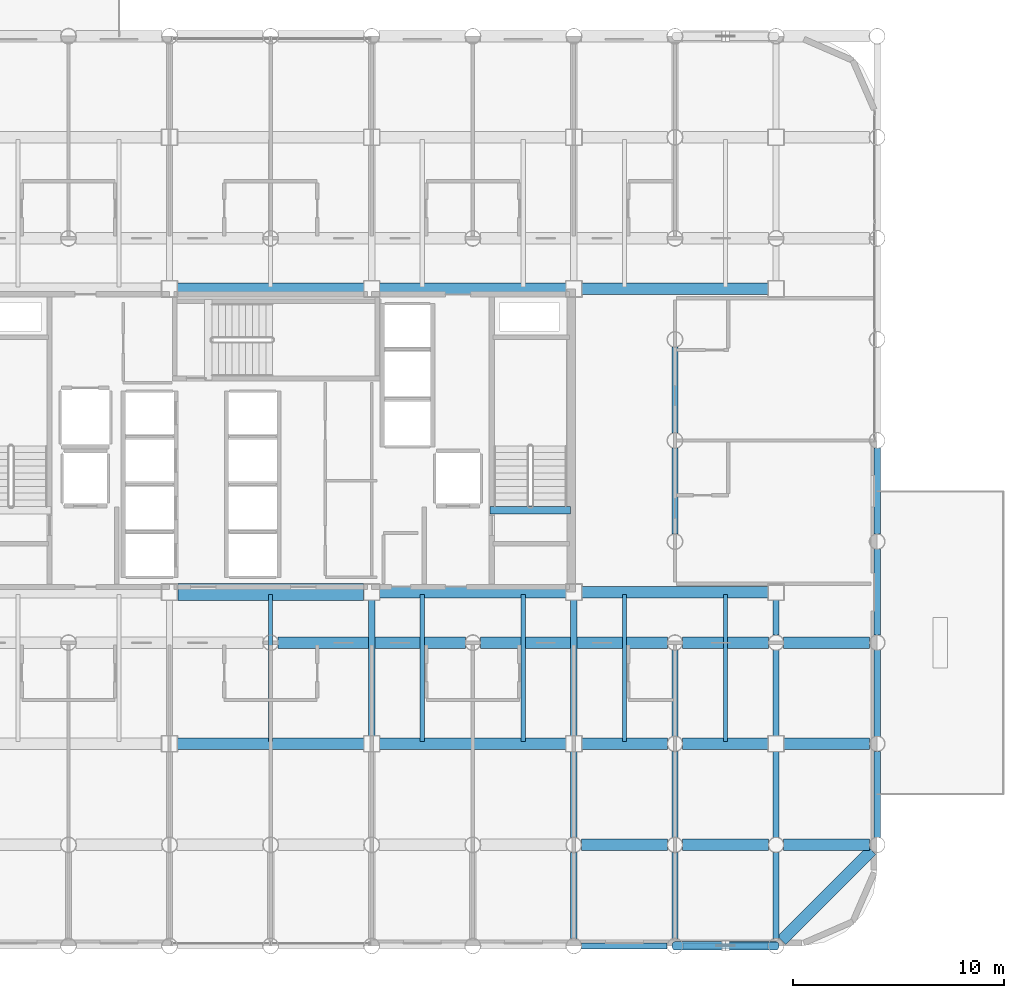
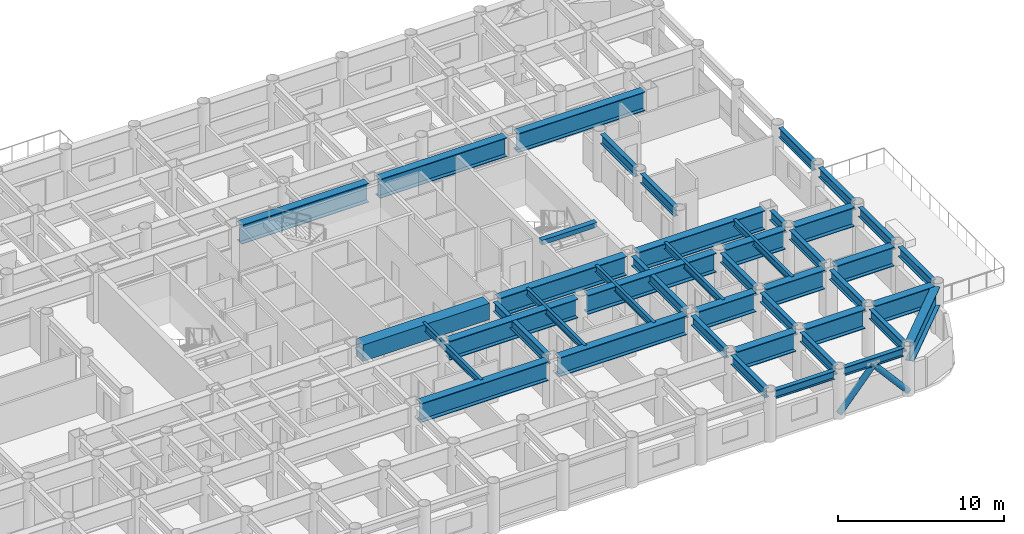
# One storey, part 7 of 24: 44 beams, 2 members.
"""IFC4 building model written with IfcOpenShell, lengths in metres."""

from ifc_helpers import new_model, si_unit, direction, frame, origin, origin_2d, place, context, subcontext, project, spatial, rectangle, hollow_circle, i_section, extrude, material, material_profile, profile_set, type_object, element, save


model = new_model("IFC4")

# Units and contexts
model_context = context("Model", 3, precision=1e-05, world=origin(), true_north=direction((0.0, 1.0)))
body_context = subcontext(model_context, "Body", "Model", "MODEL_VIEW")
ifc_project = project(units=[si_unit("LENGTHUNIT", "METRE"), si_unit("AREAUNIT", "SQUARE_METRE"), si_unit("VOLUMEUNIT", "CUBIC_METRE"), si_unit("PLANEANGLEUNIT", "RADIAN"), si_unit("MASSUNIT", "GRAM", prefix="KILO")], contexts=[model_context])

# Site, building, storey
site_placement = place(None, origin())
site = spatial("IfcSite", under=ifc_project, at=site_placement, CompositionType="ELEMENT")
building_placement = place(site_placement, origin())
building = spatial("IfcBuilding", under=site, at=building_placement, Name="Kallvorn Hotel Tower", CompositionType="ELEMENT")
storey_placement = place(building_placement, frame((0.0, 0.0, 30.0)))
storey = spatial("IfcBuildingStorey", under=building, at=storey_placement, Name="L05", CompositionType="ELEMENT", Elevation=30.0)

# Beams
ifc_material_1 = material(Name="Structural steel S355JR", Category="steel")
ifc_material_profile_1 = material_profile(ifc_material_1, i_section(OverallWidth=0.300048828125, OverallDepth=0.60009765625, WebThickness=0.015380859375, FlangeThickness=0.030029296875, at=origin_2d()), Name="HE 600 B")
ifc_profile_set_1 = profile_set([ifc_material_profile_1], Name="Structural steel S355JR")
beam_type_1 = type_object("IfcBeamType", Name="BM_HE600B", PredefinedType="SPANDREL", material=ifc_profile_set_1)
beam_1_placement = place(storey_placement, frame((14.77099609375, -24.0, 3.219970703125), z_axis=(1.0, 0.0, 0.0), x_axis=(0.0, 1.0, 0.0)))
element("IfcBeam", 1, at=beam_1_placement, inside=storey, type_object=beam_type_1, Name="L06 Perimeter Spandrel 160", PredefinedType="SPANDREL", context=body_context, shape_type="SweptSolid", body=[
    extrude(i_section(OverallWidth=0.300048828125, OverallDepth=0.60009765625, WebThickness=0.015380859375, FlangeThickness=0.030029296875, at=origin_2d()), origin(), (0.0, 0.0, 1.0), 4.05810546875),
])
beam_2_placement = place(storey_placement, frame((19.571044921875, -24.0, 3.219970703125), z_axis=(1.0, 0.0, 0.0), x_axis=(0.0, 1.0, 0.0)))
element("IfcBeam", 2, at=beam_2_placement, inside=storey, type_object=beam_type_1, Name="L06 Perimeter Spandrel 161", PredefinedType="SPANDREL", context=body_context, shape_type="SweptSolid", body=[
    extrude(i_section(OverallWidth=0.300048828125, OverallDepth=0.60009765625, WebThickness=0.015380859375, FlangeThickness=0.030029296875, at=origin_2d()), origin(), (0.0, 0.0, 1.0), 4.057861328125),
])
ifc_material_2 = material(Name="Structural steel S355JR", Category="steel")
ifc_material_profile_2 = material_profile(ifc_material_2, i_section(OverallWidth=0.300048828125, OverallDepth=0.699951171875, WebThickness=0.01708984375, FlangeThickness=0.031982421875, at=origin_2d()), Name="HE 700 B")
ifc_profile_set_2 = profile_set([ifc_material_profile_2], Name="Structural steel S355JR")
beam_type_2 = type_object("IfcBeamType", Name="BM_HE700B", PredefinedType="BEAM", material=ifc_profile_set_2)
beam_3_placement = place(storey_placement, frame((4.800048828125, -14.02490234375, 3.169921875), z_axis=(0.0, 1.0, 0.0), x_axis=(-1.0, 0.0, 0.0)))
element("IfcBeam", 3, at=beam_3_placement, inside=storey, type_object=beam_type_2, Name="L06 Primary Y-Girder 116", PredefinedType="BEAM", context=body_context, shape_type="SweptSolid", body=[
    extrude(i_section(OverallWidth=0.300048828125, OverallDepth=0.699951171875, WebThickness=0.01708984375, FlangeThickness=0.031982421875, at=origin_2d()), origin(), (0.0, 0.0, 1.0), 6.449951171875),
])
beam_4_placement = place(storey_placement, frame((14.39990234375, -23.64404296875, 3.169921875), z_axis=(0.0, 1.0, 0.0), x_axis=(-1.0, 0.0, 0.0)))
element("IfcBeam", 4, at=beam_4_placement, inside=storey, type_object=beam_type_2, Name="L06 Primary Y-Girder 122", PredefinedType="BEAM", context=body_context, shape_type="SweptSolid", body=[
    extrude(i_section(OverallWidth=0.300048828125, OverallDepth=0.699951171875, WebThickness=0.01708984375, FlangeThickness=0.031982421875, at=origin_2d()), origin(), (0.0, 0.0, 1.0), 4.088134765625),
])
beam_5_placement = place(storey_placement, frame((14.39990234375, -18.843994140625, 3.169921875), z_axis=(0.0, 1.0, 0.0), x_axis=(-1.0, 0.0, 0.0)))
element("IfcBeam", 5, at=beam_5_placement, inside=storey, type_object=beam_type_2, Name="L06 Primary Y-Girder 123", PredefinedType="BEAM", context=body_context, shape_type="SweptSolid", body=[
    extrude(i_section(OverallWidth=0.300048828125, OverallDepth=0.699951171875, WebThickness=0.01708984375, FlangeThickness=0.031982421875, at=origin_2d()), origin(), (0.0, 0.0, 1.0), 4.069091796875),
])
beam_6_placement = place(storey_placement, frame((14.39990234375, -14.02490234375, 3.169921875), z_axis=(0.0, 1.0, 0.0), x_axis=(-1.0, 0.0, 0.0)))
element("IfcBeam", 6, at=beam_6_placement, inside=storey, type_object=beam_type_2, Name="L06 Primary Y-Girder 124", PredefinedType="BEAM", context=body_context, shape_type="SweptSolid", body=[
    extrude(i_section(OverallWidth=0.300048828125, OverallDepth=0.699951171875, WebThickness=0.01708984375, FlangeThickness=0.031982421875, at=origin_2d()), origin(), (0.0, 0.0, 1.0), 6.449951171875),
])
beam_7_placement = place(storey_placement, frame((19.199951171875, -23.64404296875, 3.169921875), z_axis=(0.0, 1.0, 0.0), x_axis=(-1.0, 0.0, 0.0)))
element("IfcBeam", 7, at=beam_7_placement, inside=storey, type_object=beam_type_2, Name="L06 Primary Y-Girder 127", PredefinedType="BEAM", context=body_context, shape_type="SweptSolid", body=[
    extrude(i_section(OverallWidth=0.300048828125, OverallDepth=0.699951171875, WebThickness=0.01708984375, FlangeThickness=0.031982421875, at=origin_2d()), origin(), (0.0, 0.0, 1.0), 4.088134765625),
])
for number, where, z_axis, x_axis, name in (
    (8, (19.199951171875, -18.843994140625, 3.169921875), (0.0, 1.0, 0.0), (-1.0, 0.0, 0.0), "L06 Primary Y-Girder 128"),
    (9, (19.199951171875, -14.0439453125, 3.169921875), (0.0, 1.0, 0.0), (-1.0, 0.0, 0.0), "L06 Primary Y-Girder 129"),
):
    element("IfcBeam", number, at=place(storey_placement, frame(where, z_axis=z_axis, x_axis=x_axis)), inside=storey, type_object=beam_type_2, Name=name, PredefinedType="BEAM", context=body_context, shape_type="SweptSolid", body=[
        extrude(i_section(OverallWidth=0.300048828125, OverallDepth=0.699951171875, WebThickness=0.01708984375, FlangeThickness=0.031982421875, at=origin_2d()), origin(), (0.0, 0.0, 1.0), 4.087890625),
    ])
for number, where, z_axis, x_axis, name in (
    (10, (19.199951171875, -4.444091796875, 3.169921875), (0.0, 1.0, 0.0), (-1.0, 0.0, 0.0), "L06 Primary Y-Girder 131"),
    (11, (19.199951171875, 0.35595703125, 3.169921875), (0.0, 1.0, 0.0), (-1.0, 0.0, 0.0), "L06 Primary Y-Girder 132"),
    (12, (24.0, -23.64404296875, 3.169921875), (0.0, 1.0, 0.0), (-1.0, 0.0, 0.0), "L06 Primary Y-Girder 136"),
):
    element("IfcBeam", number, at=place(storey_placement, frame(where, z_axis=z_axis, x_axis=x_axis)), inside=storey, type_object=beam_type_2, Name=name, PredefinedType="BEAM", context=body_context, shape_type="SweptSolid", body=[
        extrude(i_section(OverallWidth=0.300048828125, OverallDepth=0.699951171875, WebThickness=0.01708984375, FlangeThickness=0.031982421875, at=origin_2d()), origin(), (0.0, 0.0, 1.0), 4.088134765625),
    ])
beam_8_placement = place(storey_placement, frame((24.0, -18.843994140625, 3.169921875), z_axis=(0.0, 1.0, 0.0), x_axis=(-1.0, 0.0, 0.0)))
element("IfcBeam", 13, at=beam_8_placement, inside=storey, type_object=beam_type_2, Name="L06 Primary Y-Girder 137", PredefinedType="BEAM", context=body_context, shape_type="SweptSolid", body=[
    extrude(i_section(OverallWidth=0.300048828125, OverallDepth=0.699951171875, WebThickness=0.01708984375, FlangeThickness=0.031982421875, at=origin_2d()), origin(), (0.0, 0.0, 1.0), 4.069091796875),
])
beam_9_placement = place(storey_placement, frame((24.0, -14.02490234375, 3.169921875), z_axis=(0.0, 1.0, 0.0), x_axis=(-1.0, 0.0, 0.0)))
element("IfcBeam", 14, at=beam_9_placement, inside=storey, type_object=beam_type_2, Name="L06 Primary Y-Girder 138", PredefinedType="BEAM", context=body_context, shape_type="SweptSolid", body=[
    extrude(i_section(OverallWidth=0.300048828125, OverallDepth=0.699951171875, WebThickness=0.01708984375, FlangeThickness=0.031982421875, at=origin_2d()), origin(), (0.0, 0.0, 1.0), 4.06884765625),
])
beam_10_placement = place(storey_placement, frame((24.0, -9.243896484375, 3.169921875), z_axis=(0.0, 1.0, 0.0), x_axis=(-1.0, 0.0, 0.0)))
element("IfcBeam", 15, at=beam_10_placement, inside=storey, type_object=beam_type_2, Name="L06 Primary Y-Girder 139", PredefinedType="BEAM", context=body_context, shape_type="SweptSolid", body=[
    extrude(i_section(OverallWidth=0.300048828125, OverallDepth=0.699951171875, WebThickness=0.01708984375, FlangeThickness=0.031982421875, at=origin_2d()), origin(), (0.0, 0.0, 1.0), 1.6689453125),
])
for number, where, z_axis, x_axis, name in (
    (16, (28.800048828125, -18.843994140625, 3.169921875), (0.0, 1.0, 0.0), (-1.0, 0.0, 0.0), "L06 Primary Y-Girder 143"),
    (17, (28.800048828125, -14.0439453125, 3.169921875), (0.0, 1.0, 0.0), (-1.0, 0.0, 0.0), "L06 Primary Y-Girder 144"),
    (18, (28.800048828125, -9.243896484375, 3.169921875), (0.0, 1.0, 0.0), (-1.0, 0.0, 0.0), "L06 Primary Y-Girder 145"),
):
    element("IfcBeam", number, at=place(storey_placement, frame(where, z_axis=z_axis, x_axis=x_axis)), inside=storey, type_object=beam_type_2, Name=name, PredefinedType="BEAM", context=body_context, shape_type="SweptSolid", body=[
        extrude(i_section(OverallWidth=0.300048828125, OverallDepth=0.699951171875, WebThickness=0.01708984375, FlangeThickness=0.031982421875, at=origin_2d()), origin(), (0.0, 0.0, 1.0), 4.087890625),
    ])
beam_11_placement = place(storey_placement, frame((28.800048828125, -4.444091796875, 3.169921875), z_axis=(0.0, 1.0, 0.0), x_axis=(-1.0, 0.0, 0.0)))
element("IfcBeam", 19, at=beam_11_placement, inside=storey, type_object=beam_type_2, Name="L06 Primary Y-Girder 146", PredefinedType="BEAM", context=body_context, shape_type="SweptSolid", body=[
    extrude(i_section(OverallWidth=0.300048828125, OverallDepth=0.699951171875, WebThickness=0.01708984375, FlangeThickness=0.031982421875, at=origin_2d()), origin(), (0.0, 0.0, 1.0), 4.088134765625),
])
ifc_material_3 = material(Name="Structural steel S355JR", Category="steel")
ifc_material_profile_3 = material_profile(ifc_material_3, i_section(OverallWidth=0.199951171875, OverallDepth=0.5, WebThickness=0.01025390625, FlangeThickness=0.01611328125, at=origin_2d()), Name="IPE 500")
ifc_profile_set_3 = profile_set([ifc_material_profile_3], Name="Structural steel S355JR")
beam_type_3 = type_object("IfcBeamType", Name="BM_IPE500", PredefinedType="JOIST", material=ifc_profile_set_3)
for number, where, z_axis, x_axis, name in (
    (20, (0.0, -14.300048828125, 3.27001953125), (0.0, 1.0, 0.0), (-1.0, 0.0, 0.0), "L06 Secondary Composite Joist 200"),
    (21, (7.199951171875, -14.300048828125, 3.27001953125), (0.0, 1.0, 0.0), (-1.0, 0.0, 0.0), "L06 Secondary Composite Joist 202"),
    (22, (12.0, -14.300048828125, 3.27001953125), (0.0, 1.0, 0.0), (-1.0, 0.0, 0.0), "L06 Secondary Composite Joist 204"),
    (23, (16.800048828125, -14.300048828125, 3.27001953125), (0.0, 1.0, 0.0), (-1.0, 0.0, 0.0), "L06 Secondary Composite Joist 206"),
    (24, (21.60009765625, -14.300048828125, 3.27001953125), (0.0, 1.0, 0.0), (-1.0, 0.0, 0.0), "L06 Secondary Composite Joist 208"),
):
    element("IfcBeam", number, at=place(storey_placement, frame(where, z_axis=z_axis, x_axis=x_axis)), inside=storey, type_object=beam_type_3, Name=name, PredefinedType="JOIST", context=body_context, shape_type="SweptSolid", body=[
        extrude(i_section(OverallWidth=0.199951171875, OverallDepth=0.5, WebThickness=0.01025390625, FlangeThickness=0.01611328125, at=origin_2d()), origin(), (0.0, 0.0, 1.0), 7.0),
    ])
ifc_material_4 = material(Name="Structural steel S355JR", Category="steel")
ifc_material_profile_4 = material_profile(ifc_material_4, i_section(OverallWidth=0.550048828125, OverallDepth=1.39990234375, WebThickness=0.02490234375, FlangeThickness=0.044921875, at=origin_2d()), Name="PG 1400x550x25x45")
ifc_profile_set_4 = profile_set([ifc_material_profile_4], Name="Structural steel S355JR")
beam_type_4 = type_object("IfcBeamType", Name="BM_PG_1400", PredefinedType="BEAM", material=ifc_profile_set_4)
beam_12_placement = place(storey_placement, frame((14.756103515625, -19.199951171875, 2.820068359375), z_axis=(1.0, 0.0, 0.0), x_axis=(0.0, 1.0, 0.0)))
element("IfcBeam", 25, at=beam_12_placement, inside=storey, type_object=beam_type_4, Name="L06 Primary X-Girder 11", PredefinedType="BEAM", context=body_context, shape_type="SweptSolid", body=[
    extrude(i_section(OverallWidth=0.550048828125, OverallDepth=1.39990234375, WebThickness=0.02490234375, FlangeThickness=0.044921875, at=origin_2d()), origin(), (0.0, 0.0, 1.0), 4.087890625),
])
for number, where, z_axis, x_axis, name in (
    (26, (19.555908203125, -19.199951171875, 2.820068359375), (1.0, 0.0, 0.0), (0.0, 1.0, 0.0), "L06 Primary X-Girder 12"),
    (27, (24.35595703125, -19.199951171875, 2.820068359375), (1.0, 0.0, 0.0), (0.0, 1.0, 0.0), "L06 Primary X-Girder 13"),
):
    element("IfcBeam", number, at=place(storey_placement, frame(where, z_axis=z_axis, x_axis=x_axis)), inside=storey, type_object=beam_type_4, Name=name, PredefinedType="BEAM", context=body_context, shape_type="SweptSolid", body=[
        extrude(i_section(OverallWidth=0.550048828125, OverallDepth=1.39990234375, WebThickness=0.02490234375, FlangeThickness=0.044921875, at=origin_2d()), origin(), (0.0, 0.0, 1.0), 4.088134765625),
    ])
beam_13_placement = place(storey_placement, frame((-4.425048828125, -14.39990234375, 2.820068359375), z_axis=(1.0, 0.0, 0.0), x_axis=(0.0, 1.0, 0.0)))
element("IfcBeam", 28, at=beam_13_placement, inside=storey, type_object=beam_type_4, Name="L06 Primary X-Girder 19", PredefinedType="BEAM", context=body_context, shape_type="SweptSolid", body=[
    extrude(i_section(OverallWidth=0.550048828125, OverallDepth=1.39990234375, WebThickness=0.02490234375, FlangeThickness=0.044921875, at=origin_2d()), origin(), (0.0, 0.0, 1.0), 8.85009765625),
])
beam_14_placement = place(storey_placement, frame((5.175048828125, -14.39990234375, 2.820068359375), z_axis=(1.0, 0.0, 0.0), x_axis=(0.0, 1.0, 0.0)))
element("IfcBeam", 29, at=beam_14_placement, inside=storey, type_object=beam_type_4, Name="L06 Primary X-Girder 20", PredefinedType="BEAM", context=body_context, shape_type="SweptSolid", body=[
    extrude(i_section(OverallWidth=0.550048828125, OverallDepth=1.39990234375, WebThickness=0.02490234375, FlangeThickness=0.044921875, at=origin_2d()), origin(), (0.0, 0.0, 1.0), 8.849853515625),
])
for number, where, z_axis, x_axis, name in (
    (30, (14.77490234375, -14.39990234375, 2.820068359375), (1.0, 0.0, 0.0), (0.0, 1.0, 0.0), "L06 Primary X-Girder 21"),
    (31, (19.555908203125, -14.39990234375, 2.820068359375), (1.0, 0.0, 0.0), (0.0, 1.0, 0.0), "L06 Primary X-Girder 22"),
    (32, (24.375, -14.39990234375, 2.820068359375), (1.0, 0.0, 0.0), (0.0, 1.0, 0.0), "L06 Primary X-Girder 23"),
):
    element("IfcBeam", number, at=place(storey_placement, frame(where, z_axis=z_axis, x_axis=x_axis)), inside=storey, type_object=beam_type_4, Name=name, PredefinedType="BEAM", context=body_context, shape_type="SweptSolid", body=[
        extrude(i_section(OverallWidth=0.550048828125, OverallDepth=1.39990234375, WebThickness=0.02490234375, FlangeThickness=0.044921875, at=origin_2d()), origin(), (0.0, 0.0, 1.0), 4.069091796875),
    ])
for number, where, z_axis, x_axis, name in (
    (33, (0.35595703125, -9.60009765625, 2.820068359375), (1.0, 0.0, 0.0), (0.0, 1.0, 0.0), "L06 Primary X-Girder 29"),
    (34, (9.9560546875, -9.60009765625, 2.820068359375), (1.0, 0.0, 0.0), (0.0, 1.0, 0.0), "L06 Primary X-Girder 30"),
):
    element("IfcBeam", number, at=place(storey_placement, frame(where, z_axis=z_axis, x_axis=x_axis)), inside=storey, type_object=beam_type_4, Name=name, PredefinedType="BEAM", context=body_context, shape_type="SweptSolid", body=[
        extrude(i_section(OverallWidth=0.550048828125, OverallDepth=1.39990234375, WebThickness=0.02490234375, FlangeThickness=0.044921875, at=origin_2d()), origin(), (0.0, 0.0, 1.0), 8.887939453125),
    ])
for number, where, z_axis, x_axis, name in (
    (35, (19.555908203125, -9.60009765625, 2.820068359375), (1.0, 0.0, 0.0), (0.0, 1.0, 0.0), "L06 Primary X-Girder 31"),
    (36, (24.35595703125, -9.60009765625, 2.820068359375), (1.0, 0.0, 0.0), (0.0, 1.0, 0.0), "L06 Primary X-Girder 32"),
):
    element("IfcBeam", number, at=place(storey_placement, frame(where, z_axis=z_axis, x_axis=x_axis)), inside=storey, type_object=beam_type_4, Name=name, PredefinedType="BEAM", context=body_context, shape_type="SweptSolid", body=[
        extrude(i_section(OverallWidth=0.550048828125, OverallDepth=1.39990234375, WebThickness=0.02490234375, FlangeThickness=0.044921875, at=origin_2d()), origin(), (0.0, 0.0, 1.0), 4.088134765625),
    ])
beam_15_placement = place(storey_placement, frame((5.175048828125, -7.199951171875, 2.820068359375), z_axis=(1.0, 0.0, 0.0), x_axis=(0.0, 1.0, 0.0)))
element("IfcBeam", 37, at=beam_15_placement, inside=storey, type_object=beam_type_4, Name="L06 Primary X-Girder 35", PredefinedType="BEAM", context=body_context, shape_type="SweptSolid", body=[
    extrude(i_section(OverallWidth=0.550048828125, OverallDepth=1.39990234375, WebThickness=0.02490234375, FlangeThickness=0.044921875, at=origin_2d()), origin(), (0.0, 0.0, 1.0), 8.849853515625),
])
for number, where, z_axis, x_axis, name in (
    (38, (14.77490234375, -7.199951171875, 2.820068359375), (1.0, 0.0, 0.0), (0.0, 1.0, 0.0), "L06 Primary X-Girder 36"),
    (39, (-4.425048828125, 7.199951171875, 2.820068359375), (1.0, 0.0, 0.0), (0.0, 1.0, 0.0), "L06 Primary X-Girder 39"),
):
    element("IfcBeam", number, at=place(storey_placement, frame(where, z_axis=z_axis, x_axis=x_axis)), inside=storey, type_object=beam_type_4, Name=name, PredefinedType="BEAM", context=body_context, shape_type="SweptSolid", body=[
        extrude(i_section(OverallWidth=0.550048828125, OverallDepth=1.39990234375, WebThickness=0.02490234375, FlangeThickness=0.044921875, at=origin_2d()), origin(), (0.0, 0.0, 1.0), 8.85009765625),
    ])
beam_16_placement = place(storey_placement, frame((5.175048828125, 7.199951171875, 2.820068359375), z_axis=(1.0, 0.0, 0.0), x_axis=(0.0, 1.0, 0.0)))
element("IfcBeam", 40, at=beam_16_placement, inside=storey, type_object=beam_type_4, Name="L06 Primary X-Girder 40", PredefinedType="BEAM", context=body_context, shape_type="SweptSolid", body=[
    extrude(i_section(OverallWidth=0.550048828125, OverallDepth=1.39990234375, WebThickness=0.02490234375, FlangeThickness=0.044921875, at=origin_2d()), origin(), (0.0, 0.0, 1.0), 8.849853515625),
])
beam_17_placement = place(storey_placement, frame((14.77490234375, 7.199951171875, 2.820068359375), z_axis=(1.0, 0.0, 0.0), x_axis=(0.0, 1.0, 0.0)))
element("IfcBeam", 41, at=beam_17_placement, inside=storey, type_object=beam_type_4, Name="L06 Primary X-Girder 41", PredefinedType="BEAM", context=body_context, shape_type="SweptSolid", body=[
    extrude(i_section(OverallWidth=0.550048828125, OverallDepth=1.39990234375, WebThickness=0.02490234375, FlangeThickness=0.044921875, at=origin_2d()), origin(), (0.0, 0.0, 1.0), 8.85009765625),
])
beam_18_placement = place(storey_placement, frame((28.53759765625, -19.46240234375, 2.820068359375), z_axis=(-0.707106781187, -0.707106781187, 0.0), x_axis=(0.707106781187, -0.707106781187, 0.0)))
element("IfcBeam", 42, at=beam_18_placement, inside=storey, type_object=beam_type_4, Name="L06 Rounded Corner Tie Beam 191", PredefinedType="BEAM", context=body_context, shape_type="SweptSolid", body=[
    extrude(i_section(OverallWidth=0.550048828125, OverallDepth=1.39990234375, WebThickness=0.02490234375, FlangeThickness=0.044921875, at=origin_2d()), origin(), (0.0, 0.0, 1.0), 6.04638671875),
])
ifc_material_5 = material(Name="Concrete C50/60", Category="concrete")
ifc_material_profile_5 = material_profile(ifc_material_5, rectangle(XDim=0.360107421875, YDim=0.340087890625, at=origin_2d()), Name="RC 360x340")
ifc_profile_set_5 = profile_set([ifc_material_profile_5], Name="Concrete C50/60")
beam_type_5 = type_object("IfcBeamType", Name="BM_RC_400x360", PredefinedType="BEAM", material=ifc_profile_set_5)
beam_19_placement = place(storey_placement, frame((14.239990234375, -3.31005859375, 3.35009765625), z_axis=(-1.0, 0.0, 0.0), x_axis=(0.0, -1.0, 0.0)))
element("IfcBeam", 43, at=beam_19_placement, inside=storey, type_object=beam_type_5, Name="L06 Stair ST2 Arrival Trimmer Beam", PredefinedType="BEAM", context=body_context, shape_type="SweptSolid", body=[
    extrude(rectangle(XDim=0.360107421875, YDim=0.340087890625, at=origin_2d()), origin(), (0.0, 0.0, 1.0), 3.820068359375),
])
ifc_material_6 = material(Name="Concrete C50/60", Category="concrete")
ifc_material_profile_6 = material_profile(ifc_material_6, rectangle(XDim=0.800048828125, YDim=1.199951171875, at=origin_2d()), Name="RC 800x1200")
ifc_profile_set_6 = profile_set([ifc_material_profile_6], Name="Concrete C50/60")
beam_type_6 = type_object("IfcBeamType", Name="BM_RC_800x1200", PredefinedType="T_BEAM", material=ifc_profile_set_6)
beam_20_placement = place(storey_placement, frame((-4.39990234375, -7.199951171875, 2.919921875), z_axis=(1.0, 0.0, 0.0), x_axis=(0.0, 1.0, 0.0)))
element("IfcBeam", 44, at=beam_20_placement, inside=storey, type_object=beam_type_6, Name="L05 Core Coupling Beam South", PredefinedType="T_BEAM", context=body_context, shape_type="SweptSolid", body=[
    extrude(rectangle(XDim=0.800048828125, YDim=1.199951171875, at=origin_2d()), origin(), (0.0, 0.0, 1.0), 8.7998046875),
])

# Members
ifc_material_7 = material(Name="Structural steel S355J2H", Category="steel")
ifc_material_profile_7 = material_profile(ifc_material_7, hollow_circle(Radius=0.203125, WallThickness=0.01611328125, at=origin_2d()), Name="CHS 406.4x16")
ifc_profile_set_7 = profile_set([ifc_material_profile_7], Name="Structural steel S355J2H")
member_type = type_object("IfcMemberType", Name="MBR_EXO_CHS406", PredefinedType="BRACE", material=ifc_profile_set_7)
for number, where, z_axis, x_axis, name in (
    (45, (19.213134765625, -24.0, 0.195068359375), (0.65346062529, 0.0, 0.756960508346), (0.0, 1.0, 0.0), "L05 Exoskeleton K-Brace S2A"),
    (46, (23.98681640625, -24.0, 0.195068359375), (-0.65346062529, 0.0, 0.756960508346), (0.0, -1.0, 0.0), "L05 Exoskeleton K-Brace S2B"),
):
    element("IfcMember", number, at=place(storey_placement, frame(where, z_axis=z_axis, x_axis=x_axis)), inside=storey, type_object=member_type, Name=name, PredefinedType="BRACE", context=body_context, shape_type="SweptSolid", body=[
        extrude(hollow_circle(Radius=0.203125, WallThickness=0.01611328125, at=origin_2d()), origin(), (0.0, 0.0, 1.0), 3.632568359375),
    ])

save(model, "model.ifc")
